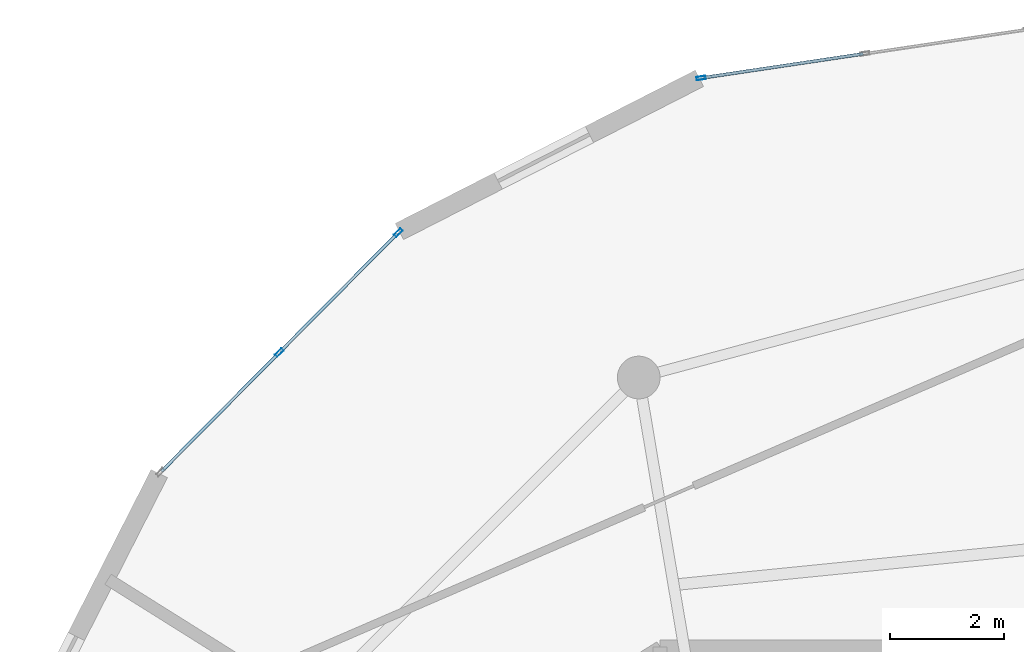
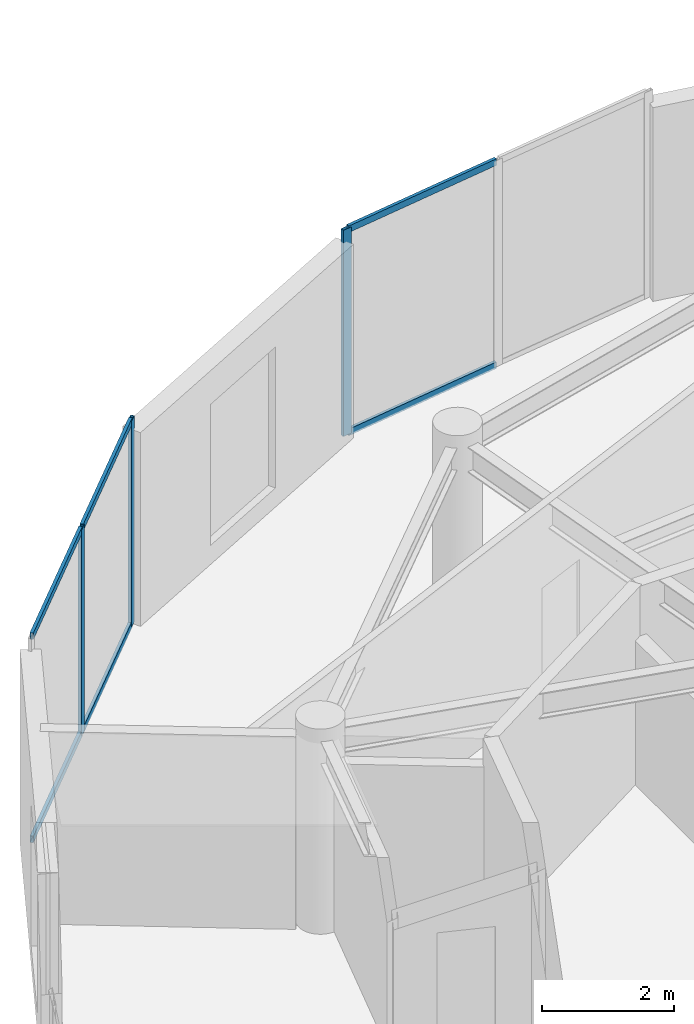
# One storey, part 13 of 23: 9 members, 2 elements without a shape of their own.
"""IFC4 building model written with IfcOpenShell, lengths in metres."""

from ifc_helpers import new_model, si_unit, direction, frame, origin, origin_2d, place, context, subcontext, project, spatial, hollow_rectangle, extrude, source, transform, mapped, material, layer, layer_set, material_profile, profile_set, type_object, element, aggregate, save


model = new_model("IFC4")

# Units and contexts
model_context = context("Model", 3, precision=1e-05, world=origin(), true_north=direction((0.0, 1.0)))
body_context = subcontext(model_context, "Body", "Model", "MODEL_VIEW")
ifc_project = project(units=[si_unit("LENGTHUNIT", "METRE"), si_unit("AREAUNIT", "SQUARE_METRE"), si_unit("VOLUMEUNIT", "CUBIC_METRE"), si_unit("PLANEANGLEUNIT", "RADIAN"), si_unit("MASSUNIT", "GRAM", prefix="KILO")], contexts=[model_context])

# Site, building, storey
site_placement = place(None, origin())
site = spatial("IfcSite", under=ifc_project, at=site_placement, CompositionType="ELEMENT")
building_placement = place(site_placement, origin())
building = spatial("IfcBuilding", under=site, at=building_placement, Name="Solvirekh Grand Hotel", CompositionType="ELEMENT")
storey_placement = place(building_placement, frame((0.0, 0.0, 282.0)))
storey = spatial("IfcBuildingStorey", under=building, at=storey_placement, Name="L73", CompositionType="ELEMENT", Elevation=282.0)

# Curtain wall, member
ifc_material = material(Name="Anodized Bronze Aluminium 6063-T6", Category="aluminium")
ifc_layer = layer(ifc_material, 0.159912109375)
ifc_layer_set = layer_set([ifc_layer], Name="Anodized Bronze Aluminium 6063-T6")
curtain_wall_type = type_object("IfcCurtainWallType", Name="CW_Sys4_HighZoneFlushBronzeCW", PredefinedType="NOTDEFINED", material=ifc_layer_set)
curtain_wall_1_placement = place(storey_placement, origin())
curtain_wall_1 = element("IfcCurtainWall", 1, at=curtain_wall_1_placement, inside=storey, type_object=curtain_wall_type, Name="L73 unitised bronze-glass curtain wall CW-L73-C11", PredefinedType="NOTDEFINED")
ifc_material_profile_1 = material_profile(ifc_material, hollow_rectangle(XDim=0.06005859375, YDim=0.159912109375, WallThickness=0.0048828125, at=origin_2d()), Name="ALU RHS 160X60X5")
ifc_profile_set_1 = profile_set([ifc_material_profile_1], Name="Anodized Bronze Aluminium 6063-T6")
member_type_1 = type_object("IfcMemberType", Name="CWMullion_Sys4", PredefinedType="MULLION", material=ifc_profile_set_1)
shared_shape_1 = source(origin(), body_context, "Body", "SweptSolid", [
    extrude(hollow_rectangle(XDim=0.06005859375, YDim=0.159912109375, WallThickness=0.0048828125, at=origin_2d()), origin(), (0.0, 0.0, 1.0), 3.800048828125),
])
member_1_placement = place(storey_placement, frame((-6.62939453125, 18.636474609375, 0.0), z_axis=(0.0, 0.0, 1.0), x_axis=(0.147474354669, -0.989065879866, 0.0)))
member_1 = element("IfcMember", 2, at=member_1_placement, type_object=member_type_1, Name="U04 mullion 3", PredefinedType="MULLION", context=body_context, shape_type="MappedRepresentation", body=[
    mapped(shared_shape_1, transform((0.0, 0.0, 0.0), x_axis=(1.0, 0.0, 0.0), y_axis=(0.0, 1.0, 0.0), z_axis=(0.0, 0.0, 1.0), scale=1.0)),
])

# Curtain wall, members
curtain_wall_2_placement = place(storey_placement, origin())
curtain_wall_2 = element("IfcCurtainWall", 3, at=curtain_wall_2_placement, inside=storey, type_object=curtain_wall_type, Name="L73 unitised bronze-glass curtain wall CW-L73-C13", PredefinedType="NOTDEFINED")
member_2_placement = place(storey_placement, frame((-11.9482421875, 15.921630859375, 0.0), z_axis=(0.0, 0.0, 1.0), x_axis=(0.710107901084, -0.704092869456, 0.0)))
member_2 = element("IfcMember", 4, at=member_2_placement, type_object=member_type_1, Name="U04 mullion 1", PredefinedType="MULLION", context=body_context, shape_type="MappedRepresentation", body=[
    mapped(shared_shape_1, transform((0.0, 0.0, 0.0), x_axis=(1.0, 0.0, 0.0), y_axis=(0.0, 1.0, 0.0), z_axis=(0.0, 0.0, 1.0), scale=1.0)),
])
member_3_placement = place(storey_placement, frame((-14.033935546875, 13.818115234375, 0.0), z_axis=(0.0, 0.0, 1.0), x_axis=(0.710107901084, -0.704092869456, 0.0)))
member_3 = element("IfcMember", 5, at=member_3_placement, type_object=member_type_1, Name="U04 mullion 2", PredefinedType="MULLION", context=body_context, shape_type="MappedRepresentation", body=[
    mapped(shared_shape_1, transform((0.0, 0.0, 0.0), x_axis=(1.0, 0.0, 0.0), y_axis=(0.0, 1.0, 0.0), z_axis=(0.0, 0.0, 1.0), scale=1.0)),
])

# Member
ifc_material_profile_2 = material_profile(ifc_material, hollow_rectangle(XDim=0.054931640625, YDim=0.1201171875, WallThickness=0.00390625, at=origin_2d()), Name="ALU RHS 120X55X4")
ifc_profile_set_2 = profile_set([ifc_material_profile_2], Name="Anodized Bronze Aluminium 6063-T6")
member_type_2 = type_object("IfcMemberType", Name="CWTransom_Sys4", PredefinedType="USERDEFINED", material=ifc_profile_set_2)
shared_shape_2 = source(origin(), body_context, "Body", "SweptSolid", [
    extrude(hollow_rectangle(XDim=0.054931640625, YDim=0.1201171875, WallThickness=0.00390625, at=origin_2d()), origin(), (0.0, 0.0, 1.0), 2.845947265625),
])
member_4_placement = place(storey_placement, frame((-3.78466796875, 19.060546875, 0.027587890625), z_axis=(-0.989068094403, -0.147459501672, 0.0), x_axis=(0.147459501672, -0.989068094403, 0.0)))
member_4 = element("IfcMember", 6, at=member_4_placement, type_object=member_type_2, Name="U04 transom 2.1", ObjectType="TRANSOM", PredefinedType="USERDEFINED", context=body_context, shape_type="MappedRepresentation", body=[
    mapped(shared_shape_2, transform((0.0, 0.0, 0.0), x_axis=(1.0, 0.0, 0.0), y_axis=(0.0, 1.0, 0.0), z_axis=(0.0, 0.0, 1.0), scale=1.0)),
])

member_5_placement = place(storey_placement, frame((-3.78466796875, 19.060546875, 3.7724609375), z_axis=(-0.989068094403, -0.147459501672, 0.0), x_axis=(0.147459501672, -0.989068094403, 0.0)))
member_5 = element("IfcMember", 7, at=member_5_placement, type_object=member_type_2, Name="U04 transom 2.2", ObjectType="TRANSOM", PredefinedType="USERDEFINED", context=body_context, shape_type="MappedRepresentation", body=[
    mapped(shared_shape_2, transform((0.0, 0.0, 0.0), x_axis=(1.0, 0.0, 0.0), y_axis=(0.0, 1.0, 0.0), z_axis=(0.0, 0.0, 1.0), scale=1.0)),
])

aggregate(curtain_wall_1, [member_1, member_4, member_5])

shared_shape_3 = source(origin(), body_context, "Body", "SweptSolid", [
    extrude(hollow_rectangle(XDim=0.054931640625, YDim=0.1201171875, WallThickness=0.00390625, at=origin_2d()), origin(), (0.0, 0.0, 1.0), 2.90234375),
])
member_6_placement = place(storey_placement, frame((-14.05517578125, 13.796630859375, 0.027587890625), z_axis=(-0.70407202991, -0.7101285635, 0.0), x_axis=(0.7101285635, -0.70407202991, 0.0)))
member_6 = element("IfcMember", 8, at=member_6_placement, type_object=member_type_2, Name="U04 transom 2.1", ObjectType="TRANSOM", PredefinedType="USERDEFINED", context=body_context, shape_type="MappedRepresentation", body=[
    mapped(shared_shape_3, transform((0.0, 0.0, 0.0), x_axis=(1.0, 0.0, 0.0), y_axis=(0.0, 1.0, 0.0), z_axis=(0.0, 0.0, 1.0), scale=1.0)),
])

member_7_placement = place(storey_placement, frame((-14.05517578125, 13.796630859375, 3.7724609375), z_axis=(-0.70407202991, -0.7101285635, 0.0), x_axis=(0.7101285635, -0.70407202991, 0.0)))
member_7 = element("IfcMember", 9, at=member_7_placement, type_object=member_type_2, Name="U04 transom 2.2", ObjectType="TRANSOM", PredefinedType="USERDEFINED", context=body_context, shape_type="MappedRepresentation", body=[
    mapped(shared_shape_3, transform((0.0, 0.0, 0.0), x_axis=(1.0, 0.0, 0.0), y_axis=(0.0, 1.0, 0.0), z_axis=(0.0, 0.0, 1.0), scale=1.0)),
])

shared_shape_4 = source(origin(), body_context, "Body", "SweptSolid", [
    extrude(hollow_rectangle(XDim=0.054931640625, YDim=0.1201171875, WallThickness=0.00390625, at=origin_2d()), origin(), (0.0, 0.0, 1.0), 2.902587890625),
])
member_8_placement = place(storey_placement, frame((-11.96923828125, 15.900390625, 0.027587890625), z_axis=(-0.704114445646, -0.710086507006, 0.0), x_axis=(0.710086507006, -0.704114445646, 0.0)))
member_8 = element("IfcMember", 10, at=member_8_placement, type_object=member_type_2, Name="U04 transom 1.1", ObjectType="TRANSOM", PredefinedType="USERDEFINED", context=body_context, shape_type="MappedRepresentation", body=[
    mapped(shared_shape_4, transform((0.0, 0.0, 0.0), x_axis=(1.0, 0.0, 0.0), y_axis=(0.0, 1.0, 0.0), z_axis=(0.0, 0.0, 1.0), scale=1.0)),
])

member_9_placement = place(storey_placement, frame((-11.96923828125, 15.900390625, 3.7724609375), z_axis=(-0.704114445646, -0.710086507006, 0.0), x_axis=(0.710086507006, -0.704114445646, 0.0)))
member_9 = element("IfcMember", 11, at=member_9_placement, type_object=member_type_2, Name="U04 transom 1.2", ObjectType="TRANSOM", PredefinedType="USERDEFINED", context=body_context, shape_type="MappedRepresentation", body=[
    mapped(shared_shape_4, transform((0.0, 0.0, 0.0), x_axis=(1.0, 0.0, 0.0), y_axis=(0.0, 1.0, 0.0), z_axis=(0.0, 0.0, 1.0), scale=1.0)),
])

aggregate(curtain_wall_2, [member_2, member_3, member_8, member_9, member_6, member_7])

save(model, "model.ifc")
